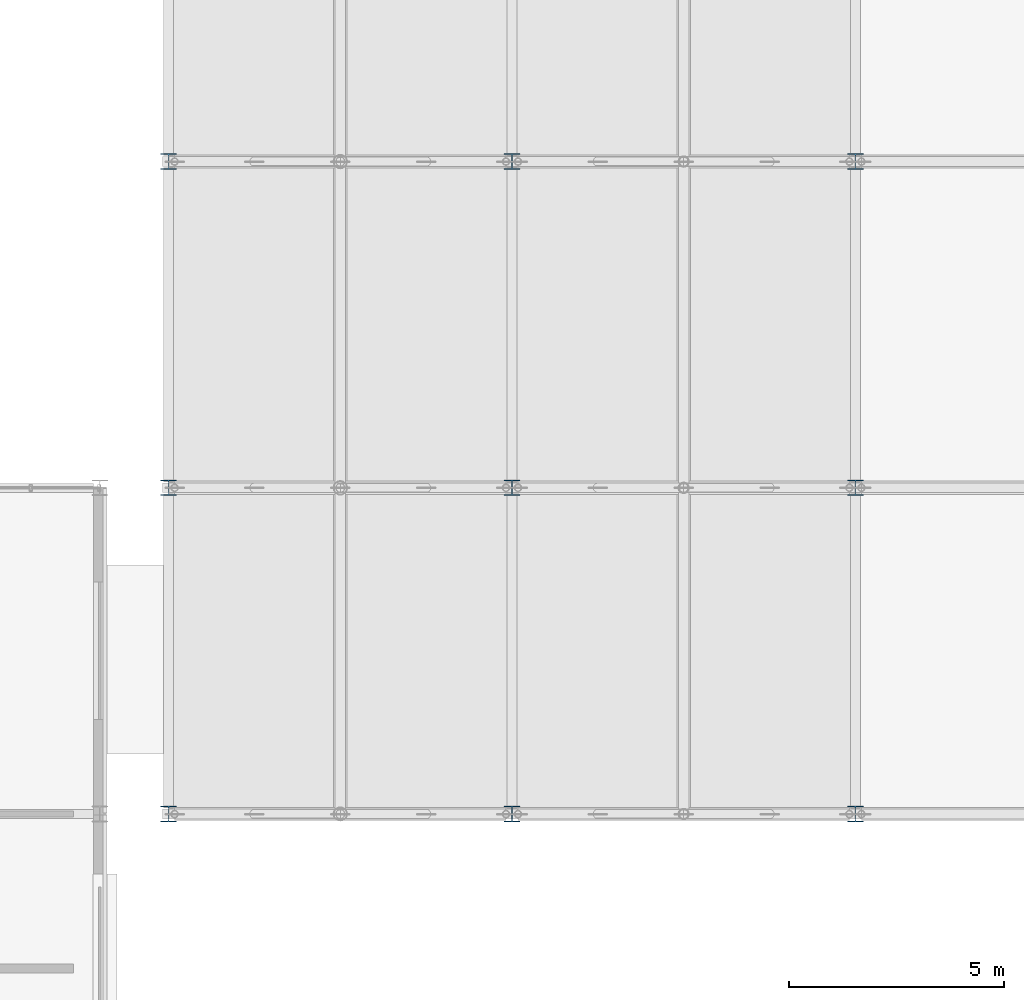
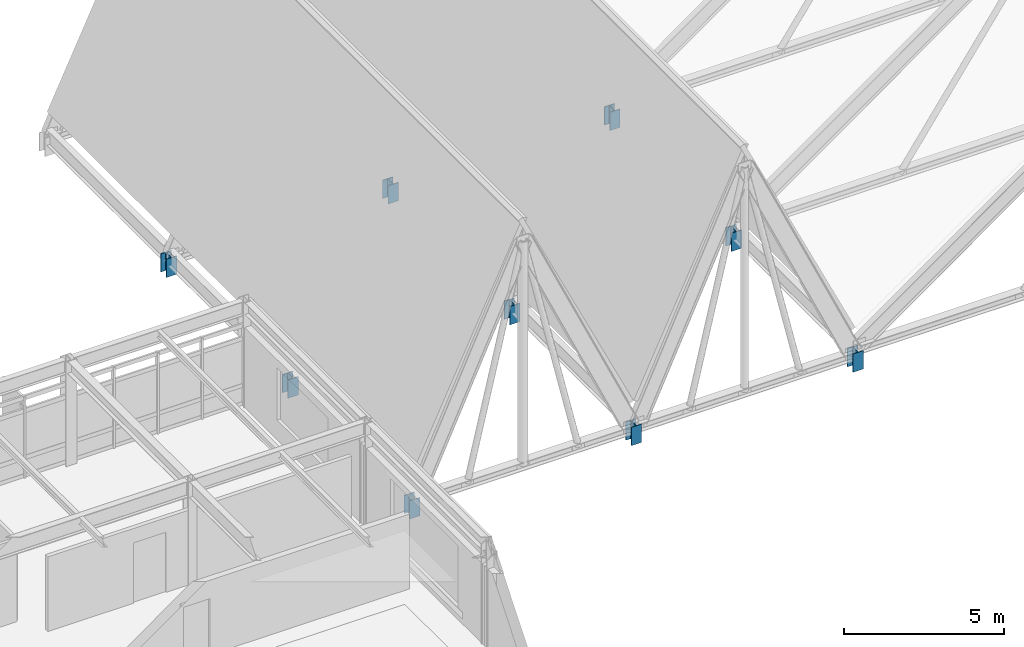
# One storey, part 14 of 85: 9 columns.
"""IFC4 building model written with IfcOpenShell, lengths in metres."""

from ifc_helpers import new_model, si_unit, direction, frame, origin, origin_2d, place, context, subcontext, project, spatial, i_section, extrude, material, material_profile, profile_set, type_object, element, save


model = new_model("IFC4")

# Units and contexts
model_context = context("Model", 3, precision=1e-05, world=origin(), true_north=direction((0.0, 1.0)))
body_context = subcontext(model_context, "Body", "Model", "MODEL_VIEW")
ifc_project = project(units=[si_unit("LENGTHUNIT", "METRE"), si_unit("AREAUNIT", "SQUARE_METRE"), si_unit("VOLUMEUNIT", "CUBIC_METRE"), si_unit("PLANEANGLEUNIT", "RADIAN"), si_unit("MASSUNIT", "GRAM", prefix="KILO")], contexts=[model_context])

# Site, building, storey
site_placement = place(None, origin())
site = spatial("IfcSite", under=ifc_project, at=site_placement, CompositionType="ELEMENT")
building_placement = place(site_placement, origin())
building = spatial("IfcBuilding", under=site, at=building_placement, Name="Zulena Civic Courthouse", CompositionType="ELEMENT")
storey_placement = place(building_placement, frame((0.0, 0.0, 25.199951171875)))
storey = spatial("IfcBuildingStorey", under=building, at=storey_placement, Name="L05", CompositionType="ELEMENT", Elevation=25.199951171875)

# Columns
ifc_material = material(Name="Steel ASTM A992 Grade 50", Category="steel")
ifc_material_profile = material_profile(ifc_material, i_section(OverallWidth=0.373046875, OverallDepth=0.367919921875, WebThickness=0.014892578125, FlangeThickness=0.02392578125, FilletRadius=0.01513671875, at=origin_2d()), Name="W14X120")
ifc_profile_set = profile_set([ifc_material_profile], Name="Steel ASTM A992 Grade 50")
column_type = type_object("IfcColumnType", Name="Col_W14X120", PredefinedType="COLUMN", material=ifc_profile_set)
for number, where, z_axis, x_axis, name in (
    (1, (68.0, 15.199951171875, -0.195068359375), (0.0, 0.0, 1.0), (1.0, 0.0, 0.0), "col:foldV:L05:68.0:15.2"),
    (2, (76.0, 15.199951171875, -0.195068359375), (0.0, 0.0, 1.0), (1.0, 0.0, 0.0), "col:foldV:L05:76.0:15.2"),
    (3, (68.0, 22.800048828125, -0.195068359375), (0.0, 0.0, 1.0), (1.0, 0.0, 0.0), "col:foldV:L05:68.0:22.8"),
    (4, (76.0, 22.800048828125, -0.195068359375), (0.0, 0.0, 1.0), (1.0, 0.0, 0.0), "col:foldV:L05:76.0:22.8"),
    (5, (68.0, 30.39990234375, -0.195068359375), (0.0, 0.0, 1.0), (1.0, 0.0, 0.0), "col:foldV:L05:68.0:30.4"),
    (6, (76.0, 30.39990234375, -0.195068359375), (0.0, 0.0, 1.0), (1.0, 0.0, 0.0), "col:foldV:L05:76.0:30.4"),
    (7, (84.0, 15.199951171875, -0.195068359375), (0.0, 0.0, 1.0), (1.0, 0.0, 0.0), "col:foldV:L05:84.0:15.2"),
    (8, (84.0, 22.800048828125, -0.195068359375), (0.0, 0.0, 1.0), (1.0, 0.0, 0.0), "col:foldV:L05:84.0:22.8"),
    (9, (84.0, 30.39990234375, -0.195068359375), (0.0, 0.0, 1.0), (1.0, 0.0, 0.0), "col:foldV:L05:84.0:30.4"),
):
    element("IfcColumn", number, at=place(storey_placement, frame(where, z_axis=z_axis, x_axis=x_axis)), inside=storey, type_object=column_type, Name=name, PredefinedType="COLUMN", context=body_context, shape_type="SweptSolid", body=[
        extrude(i_section(OverallWidth=0.373046875, OverallDepth=0.367919921875, WebThickness=0.014892578125, FlangeThickness=0.02392578125, FilletRadius=0.01513671875, at=origin_2d()), origin(), (0.0, 0.0, 1.0), 0.697998046875),
    ])

save(model, "model.ifc")
